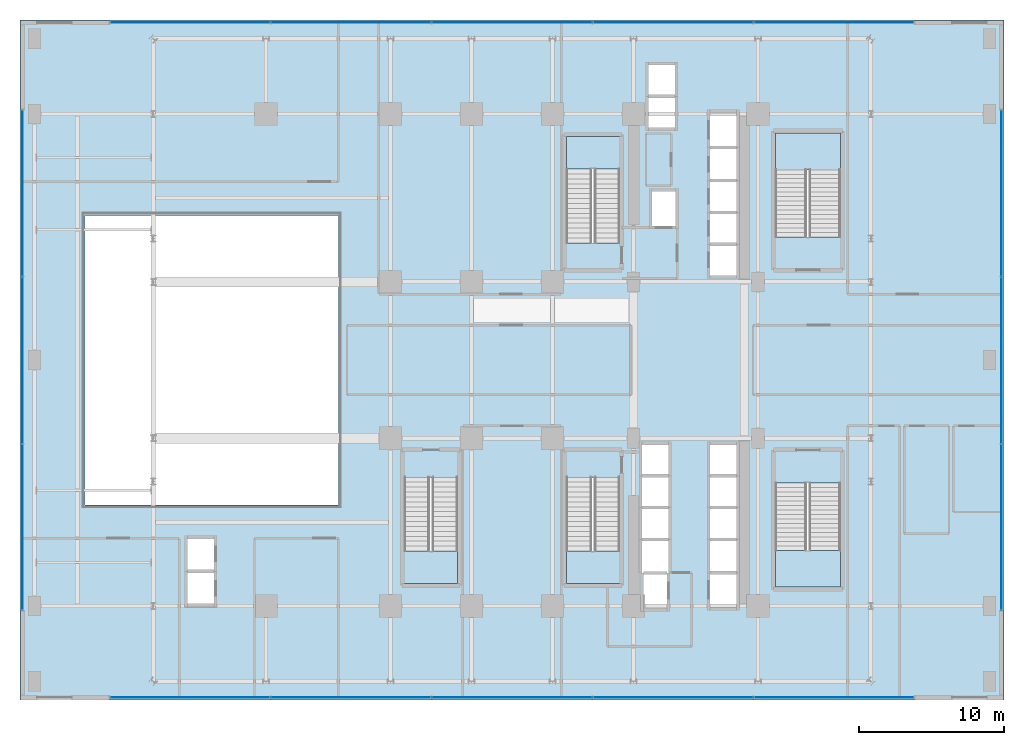
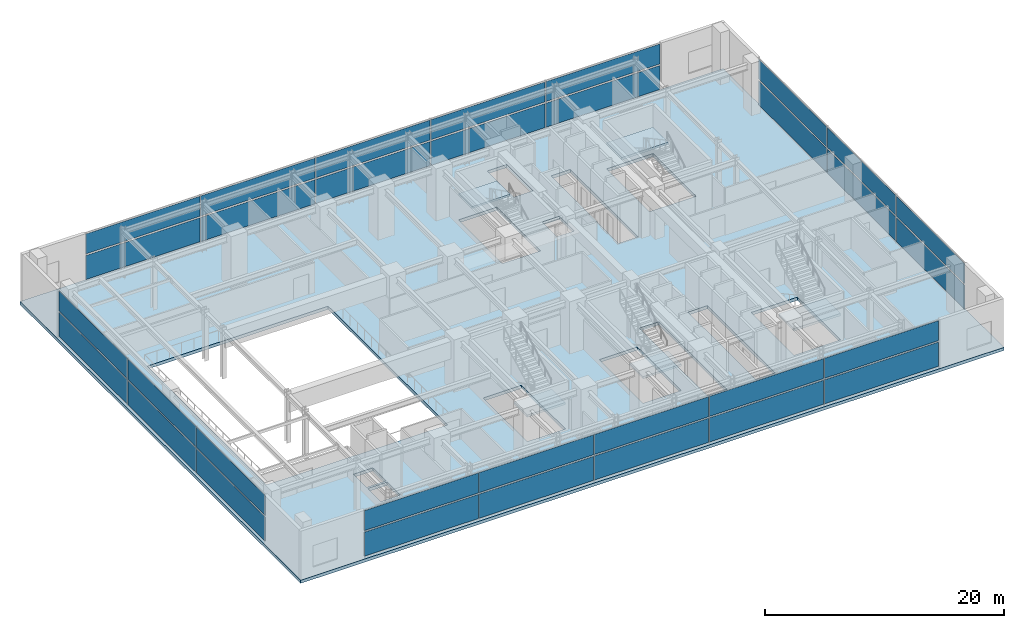
# One storey, part 26 of 35: 32 plates, 6 slabs, 9 elements without a shape of their own.
"""IFC4 building model written with IfcOpenShell, lengths in metres."""

from ifc_helpers import new_model, si_unit, direction, frame, origin, origin_2d, place, context, subcontext, project, spatial, polyline, rectangle, outline, extrude, source, transform, mapped, material, layer, layer_set, type_object, element, aggregate, save


model = new_model("IFC4")

# Units and contexts
model_context = context("Model", 3, precision=1e-05, world=origin(), true_north=direction((0.0, 1.0)))
body_context = subcontext(model_context, "Body", "Model", "MODEL_VIEW")
ifc_project = project(units=[si_unit("LENGTHUNIT", "METRE"), si_unit("AREAUNIT", "SQUARE_METRE"), si_unit("VOLUMEUNIT", "CUBIC_METRE"), si_unit("PLANEANGLEUNIT", "RADIAN"), si_unit("MASSUNIT", "GRAM", prefix="KILO")], contexts=[model_context])

# Site, building, storey
site_placement = place(None, origin())
site = spatial("IfcSite", under=ifc_project, at=site_placement, CompositionType="ELEMENT")
building_placement = place(site_placement, origin())
building = spatial("IfcBuilding", under=site, at=building_placement, Name="Nahalor Promenade Grand Hotel", CompositionType="ELEMENT")
storey_placement = place(building_placement, frame((0.0, 0.0, 21.60009765625)))
storey = spatial("IfcBuildingStorey", under=building, at=storey_placement, Name="L04", CompositionType="ELEMENT", Elevation=21.60009765625)

# Stair, slab
ifc_material_1 = material(Name="Concrete B-50 (C40/50)", Category="concrete")
stair_type_1 = type_object("IfcStairType", Name="Stair-ST1", PredefinedType="HALF_TURN_STAIR", material=ifc_material_1)
stair_1_placement = place(storey_placement, origin())
stair_1 = element("IfcStair", 1, at=stair_1_placement, inside=storey, type_object=stair_type_1, Name="L04 ST1", PredefinedType="HALF_TURN_STAIR")
ifc_layer_1 = layer(ifc_material_1, 0.199951171875)
ifc_layer_set_1 = layer_set([ifc_layer_1], Name="Concrete B-50 (C40/50)")
slab_type_1 = type_object("IfcSlabType", Name="Landing-ST1", PredefinedType="LANDING", material=ifc_layer_set_1)
slab_1_placement = place(storey_placement, frame((0.0, 0.0, 2.5)))
slab_1 = element("IfcSlab", 2, at=slab_1_placement, type_object=slab_type_1, Name="ST1 landing 1", PredefinedType="LANDING", context=body_context, shape_type="SweptSolid", body=[
    extrude(outline(polyline([(7.449951171875, 13.199951171875), (7.449951171875, 15.449951171875), (3.75, 15.449951171875), (3.75, 13.199951171875), (7.449951171875, 13.199951171875)])), origin(), (0.0, 0.0, 1.0), 0.199951171875),
])
aggregate(stair_1, [slab_1])

stair_type_2 = type_object("IfcStairType", Name="Stair-ST2", PredefinedType="HALF_TURN_STAIR", material=ifc_material_1)
stair_2_placement = place(storey_placement, origin())
stair_2 = element("IfcStair", 3, at=stair_2_placement, inside=storey, type_object=stair_type_2, Name="L04 ST2", PredefinedType="HALF_TURN_STAIR")
ifc_layer_2 = layer(ifc_material_1, 0.2099609375)
ifc_layer_set_2 = layer_set([ifc_layer_2], Name="Concrete B-50 (C40/50)")
slab_type_2 = type_object("IfcSlabType", Name="Landing-ST2", PredefinedType="LANDING", material=ifc_layer_set_2)
slab_2_placement = place(storey_placement, frame((0.0, 0.0, 2.489990234375)))
slab_2 = element("IfcSlab", 4, at=slab_2_placement, type_object=slab_type_2, Name="ST2 landing 1", PredefinedType="LANDING", context=body_context, shape_type="SweptSolid", body=[
    extrude(outline(polyline([(3.75, -13.199951171875), (3.75, -15.449951171875), (7.449951171875, -15.449951171875), (7.449951171875, -13.199951171875), (3.75, -13.199951171875)])), origin(), (0.0, 0.0, 1.0), 0.2099609375),
])
aggregate(stair_2, [slab_2])

stair_type_3 = type_object("IfcStairType", Name="Stair-ST3", PredefinedType="HALF_TURN_STAIR", material=ifc_material_1)
stair_3_placement = place(storey_placement, origin())
stair_3 = element("IfcStair", 5, at=stair_3_placement, inside=storey, type_object=stair_type_3, Name="L04 ST3", PredefinedType="HALF_TURN_STAIR")
ifc_layer_3 = layer(ifc_material_1, 0.219970703125)
ifc_layer_set_3 = layer_set([ifc_layer_3], Name="Concrete B-50 (C40/50)")
slab_type_3 = type_object("IfcSlabType", Name="Landing-ST3", PredefinedType="LANDING", material=ifc_layer_set_3)
slab_3_placement = place(storey_placement, frame((0.0, 0.0, 2.47998046875)))
slab_3 = element("IfcSlab", 6, at=slab_3_placement, type_object=slab_type_3, Name="ST3 landing 1", PredefinedType="LANDING", context=body_context, shape_type="SweptSolid", body=[
    extrude(outline(polyline([(-7.449951171875, -13.199951171875), (-7.449951171875, -15.449951171875), (-3.75, -15.449951171875), (-3.75, -13.199951171875), (-7.449951171875, -13.199951171875)])), origin(), (0.0, 0.0, 1.0), 0.219970703125),
])
aggregate(stair_3, [slab_3])

stair_type_4 = type_object("IfcStairType", Name="Stair-ST4", PredefinedType="HALF_TURN_STAIR", material=ifc_material_1)
stair_4_placement = place(storey_placement, origin())
stair_4 = element("IfcStair", 7, at=stair_4_placement, inside=storey, type_object=stair_type_4, Name="L04 ST4", PredefinedType="HALF_TURN_STAIR")
ifc_layer_4 = layer(ifc_material_1, 0.239990234375)
ifc_layer_set_4 = layer_set([ifc_layer_4], Name="Concrete B-50 (C40/50)")
slab_type_4 = type_object("IfcSlabType", Name="Landing-ST4", PredefinedType="LANDING", material=ifc_layer_set_4)
slab_4_placement = place(storey_placement, frame((0.0, 0.0, 2.4599609375)))
slab_4 = element("IfcSlab", 8, at=slab_4_placement, type_object=slab_type_4, Name="ST4 landing 1", PredefinedType="LANDING", context=body_context, shape_type="SweptSolid", body=[
    extrude(outline(polyline([(22.699951171875, 13.14990234375), (22.699951171875, 15.699951171875), (18.199951171875, 15.699951171875), (18.199951171875, 13.14990234375), (22.699951171875, 13.14990234375)])), origin(), (0.0, 0.0, 1.0), 0.239990234375),
])
aggregate(stair_4, [slab_4])

stair_type_5 = type_object("IfcStairType", Name="Stair-ST5", PredefinedType="HALF_TURN_STAIR", material=ifc_material_1)
stair_5_placement = place(storey_placement, origin())
stair_5 = element("IfcStair", 9, at=stair_5_placement, inside=storey, type_object=stair_type_5, Name="L04 ST5", PredefinedType="HALF_TURN_STAIR")
ifc_layer_5 = layer(ifc_material_1, 0.25)
ifc_layer_set_5 = layer_set([ifc_layer_5], Name="Concrete B-50 (C40/50)")
slab_type_5 = type_object("IfcSlabType", Name="Landing-ST5", PredefinedType="LANDING", material=ifc_layer_set_5)
slab_5_placement = place(storey_placement, frame((0.0, 0.0, 2.449951171875)))
slab_5 = element("IfcSlab", 10, at=slab_5_placement, type_object=slab_type_5, Name="ST5 landing 1", PredefinedType="LANDING", context=body_context, shape_type="SweptSolid", body=[
    extrude(outline(polyline([(18.199951171875, -13.14990234375), (18.199951171875, -15.699951171875), (22.699951171875, -15.699951171875), (22.699951171875, -13.14990234375), (18.199951171875, -13.14990234375)])), origin(), (0.0, 0.0, 1.0), 0.25),
])
aggregate(stair_5, [slab_5])

# Slab
ifc_layer_6 = layer(ifc_material_1, 0.320068359375)
ifc_layer_set_6 = layer_set([ifc_layer_6], Name="Concrete B-50 (C40/50)")
slab_type_6 = type_object("IfcSlabType", Name="Slab-Podium-320", PredefinedType="FLOOR", material=ifc_layer_set_6)
slab_6_placement = place(storey_placement, frame((0.0, 0.0, -0.320068359375)))
element("IfcSlab", 11, at=slab_6_placement, inside=storey, type_object=slab_type_6, Name="L04 Suspended Structural Floor Slab", PredefinedType="FLOOR", context=body_context, shape_type="SweptSolid", body=[
    extrude(outline(polyline([(-34.0, -23.5), (34.0, -23.5), (34.0, 23.5), (-34.0, 23.5), (-34.0, -23.5)]), holes=[polyline([(3.75, 8.10009765625), (7.449951171875, 8.10009765625), (7.449951171875, 15.449951171875), (3.75, 15.449951171875), (3.75, 8.10009765625)]), polyline([(3.75, -15.449951171875), (7.449951171875, -15.449951171875), (7.449951171875, -8.10009765625), (3.75, -8.10009765625), (3.75, -15.449951171875)]), polyline([(-7.449951171875, -15.449951171875), (-3.75, -15.449951171875), (-3.75, -8.10009765625), (-7.449951171875, -8.10009765625), (-7.449951171875, -15.449951171875)]), polyline([(18.199951171875, 8.5), (22.699951171875, 8.5), (22.699951171875, 15.699951171875), (18.199951171875, 15.699951171875), (18.199951171875, 8.5)]), polyline([(18.199951171875, -15.699951171875), (22.699951171875, -15.699951171875), (22.699951171875, -8.5), (18.199951171875, -8.5), (18.199951171875, -15.699951171875)]), polyline([(13.659912109375, 5.81005859375), (15.5400390625, 5.81005859375), (15.5400390625, 17.139892578125), (13.659912109375, 17.139892578125), (13.659912109375, 5.81005859375)]), polyline([(13.659912109375, -17.139892578125), (15.5400390625, -17.139892578125), (15.5400390625, -5.81005859375), (13.659912109375, -5.81005859375), (13.659912109375, -17.139892578125)]), polyline([(8.9599609375, -17.18994140625), (10.840087890625, -17.18994140625), (10.840087890625, -5.81005859375), (8.9599609375, -5.81005859375), (8.9599609375, -17.18994140625)]), polyline([(9.409912109375, 16.010009765625), (11.2900390625, 16.010009765625), (11.2900390625, 20.43994140625), (9.409912109375, 20.43994140625), (9.409912109375, 16.010009765625)]), polyline([(9.659912109375, 9.2099609375), (11.340087890625, 9.2099609375), (11.340087890625, 11.68994140625), (9.659912109375, 11.68994140625), (9.659912109375, 9.2099609375)]), polyline([(-22.43994140625, -16.889892578125), (-20.56005859375, -16.889892578125), (-20.56005859375, -14.7099609375), (-22.43994140625, -14.7099609375), (-22.43994140625, -16.889892578125)]), polyline([(-22.43994140625, -14.489990234375), (-20.56005859375, -14.489990234375), (-20.56005859375, -12.31005859375), (-22.43994140625, -12.31005859375), (-22.43994140625, -14.489990234375)]), polyline([(-29.5, -10.0), (-12.0, -10.0), (-12.0, 10.0), (-29.5, 10.0), (-29.5, -10.0)])]), origin(), (0.0, 0.0, 1.0), 0.320068359375),
])

# Curtain wall, plates
ifc_material_2 = material(Name="Anodised Bronze Aluminium EN AW-6063 T6", Category="aluminium")
curtain_wall_type = type_object("IfcCurtainWallType", Name="CW1 Waterfront Podium Bronze Arcade Curtain Wall", PredefinedType="USERDEFINED", material=ifc_material_2)
curtain_wall_1_placement = place(storey_placement, origin())
curtain_wall_1 = element("IfcCurtainWall", 12, at=curtain_wall_1_placement, inside=storey, type_object=curtain_wall_type, Name="L04 Curtain Wall CW-L04-S", ObjectType="UNITISED_CURTAIN_WALL", PredefinedType="USERDEFINED")
ifc_material_3 = material(Name="Low-E Laminated Solar Glass", Category="glass")
ifc_layer_7 = layer(ifc_material_3, 0.031982421875)
ifc_layer_set_7 = layer_set([ifc_layer_7], Name="Low-E Laminated Solar Glass")
plate_type = type_object("IfcPlateType", Name="CWP1 Podium Solar Acoustic IGU 32mm", PredefinedType="CURTAIN_PANEL", material=ifc_layer_set_7)
shared_shape_1 = source(origin(), body_context, "Body", "SweptSolid", [
    extrude(rectangle(XDim=11.008056640625, YDim=0.031982421875, at=origin_2d()), origin(), (0.0, 0.0, 1.0), 2.4599609375),
])
plate_1_placement = place(storey_placement, frame((-22.236083984375, -23.320068359375, 0.159912109375), z_axis=(0.0, 0.0, 1.0), x_axis=(1.0, 0.0, 0.0)))
plate_1 = element("IfcPlate", 13, at=plate_1_placement, type_object=plate_type, Name="CW-L04-S Glazing Panel 0-0", PredefinedType="CURTAIN_PANEL", context=body_context, shape_type="MappedRepresentation", body=[
    mapped(shared_shape_1, transform((0.0, 0.0, 0.0), scale=1.0)),
])
plate_2_placement = place(storey_placement, frame((22.236083984375, -23.320068359375, 0.159912109375), z_axis=(0.0, 0.0, 1.0), x_axis=(1.0, 0.0, 0.0)))
plate_2 = element("IfcPlate", 14, at=plate_2_placement, type_object=plate_type, Name="CW-L04-S Glazing Panel 4-0", PredefinedType="CURTAIN_PANEL", context=body_context, shape_type="MappedRepresentation", body=[
    mapped(shared_shape_1, transform((0.0, 0.0, 0.0), scale=1.0)),
])

curtain_wall_2_placement = place(storey_placement, origin())
curtain_wall_2 = element("IfcCurtainWall", 15, at=curtain_wall_2_placement, inside=storey, type_object=curtain_wall_type, Name="L04 Curtain Wall CW-L04-N", ObjectType="UNITISED_CURTAIN_WALL", PredefinedType="USERDEFINED")
plate_3_placement = place(storey_placement, frame((-22.236083984375, 23.320068359375, 0.159912109375), z_axis=(0.0, 0.0, 1.0), x_axis=(1.0, 0.0, 0.0)))
plate_3 = element("IfcPlate", 16, at=plate_3_placement, type_object=plate_type, Name="CW-L04-N Glazing Panel 0-0", PredefinedType="CURTAIN_PANEL", context=body_context, shape_type="MappedRepresentation", body=[
    mapped(shared_shape_1, transform((0.0, 0.0, 0.0), scale=1.0)),
])
plate_4_placement = place(storey_placement, frame((22.236083984375, 23.320068359375, 0.159912109375), z_axis=(0.0, 0.0, 1.0), x_axis=(1.0, 0.0, 0.0)))
plate_4 = element("IfcPlate", 17, at=plate_4_placement, type_object=plate_type, Name="CW-L04-N Glazing Panel 4-0", PredefinedType="CURTAIN_PANEL", context=body_context, shape_type="MappedRepresentation", body=[
    mapped(shared_shape_1, transform((0.0, 0.0, 0.0), scale=1.0)),
])

# Plate
shared_shape_2 = source(origin(), body_context, "Body", "SweptSolid", [
    extrude(rectangle(XDim=11.008056640625, YDim=0.031982421875, at=origin_2d()), origin(), (0.0, 0.0, 1.0), 2.0400390625),
])
plate_5_placement = place(storey_placement, frame((-22.236083984375, -23.320068359375, 2.77978515625), z_axis=(0.0, 0.0, 1.0), x_axis=(1.0, 0.0, 0.0)))
plate_5 = element("IfcPlate", 18, at=plate_5_placement, type_object=plate_type, Name="CW-L04-S Glazing Panel 0-1", PredefinedType="CURTAIN_PANEL", context=body_context, shape_type="MappedRepresentation", body=[
    mapped(shared_shape_2, transform((0.0, 0.0, 0.0), scale=1.0)),
])

plate_6_placement = place(storey_placement, frame((22.236083984375, -23.320068359375, 2.77978515625), z_axis=(0.0, 0.0, 1.0), x_axis=(1.0, 0.0, 0.0)))
plate_6 = element("IfcPlate", 19, at=plate_6_placement, type_object=plate_type, Name="CW-L04-S Glazing Panel 4-1", PredefinedType="CURTAIN_PANEL", context=body_context, shape_type="MappedRepresentation", body=[
    mapped(shared_shape_2, transform((0.0, 0.0, 0.0), scale=1.0)),
])

plate_7_placement = place(storey_placement, frame((-22.236083984375, 23.320068359375, 2.77978515625), z_axis=(0.0, 0.0, 1.0), x_axis=(1.0, 0.0, 0.0)))
plate_7 = element("IfcPlate", 20, at=plate_7_placement, type_object=plate_type, Name="CW-L04-N Glazing Panel 0-1", PredefinedType="CURTAIN_PANEL", context=body_context, shape_type="MappedRepresentation", body=[
    mapped(shared_shape_2, transform((0.0, 0.0, 0.0), scale=1.0)),
])

plate_8_placement = place(storey_placement, frame((22.236083984375, 23.320068359375, 2.77978515625), z_axis=(0.0, 0.0, 1.0), x_axis=(1.0, 0.0, 0.0)))
plate_8 = element("IfcPlate", 21, at=plate_8_placement, type_object=plate_type, Name="CW-L04-N Glazing Panel 4-1", PredefinedType="CURTAIN_PANEL", context=body_context, shape_type="MappedRepresentation", body=[
    mapped(shared_shape_2, transform((0.0, 0.0, 0.0), scale=1.0)),
])

shared_shape_3 = source(origin(), body_context, "Body", "SweptSolid", [
    extrude(rectangle(XDim=11.048095703125, YDim=0.031982421875, at=origin_2d()), origin(), (0.0, 0.0, 1.0), 2.4599609375),
])
plate_9_placement = place(storey_placement, frame((-11.1279296875, -23.320068359375, 0.159912109375), z_axis=(0.0, 0.0, 1.0), x_axis=(1.0, 0.0, 0.0)))
plate_9 = element("IfcPlate", 22, at=plate_9_placement, type_object=plate_type, Name="CW-L04-S Glazing Panel 1-0", PredefinedType="CURTAIN_PANEL", context=body_context, shape_type="MappedRepresentation", body=[
    mapped(shared_shape_3, transform((0.0, 0.0, 0.0), scale=1.0)),
])

plate_10_placement = place(storey_placement, frame((0.0, -23.320068359375, 0.159912109375), z_axis=(0.0, 0.0, 1.0), x_axis=(1.0, 0.0, 0.0)))
plate_10 = element("IfcPlate", 23, at=plate_10_placement, type_object=plate_type, Name="CW-L04-S Glazing Panel 2-0", PredefinedType="CURTAIN_PANEL", context=body_context, shape_type="MappedRepresentation", body=[
    mapped(shared_shape_3, transform((0.0, 0.0, 0.0), scale=1.0)),
])

plate_11_placement = place(storey_placement, frame((11.1279296875, -23.320068359375, 0.159912109375), z_axis=(0.0, 0.0, 1.0), x_axis=(1.0, 0.0, 0.0)))
plate_11 = element("IfcPlate", 24, at=plate_11_placement, type_object=plate_type, Name="CW-L04-S Glazing Panel 3-0", PredefinedType="CURTAIN_PANEL", context=body_context, shape_type="MappedRepresentation", body=[
    mapped(shared_shape_3, transform((0.0, 0.0, 0.0), scale=1.0)),
])

plate_12_placement = place(storey_placement, frame((-11.1279296875, 23.320068359375, 0.159912109375), z_axis=(0.0, 0.0, 1.0), x_axis=(1.0, 0.0, 0.0)))
plate_12 = element("IfcPlate", 25, at=plate_12_placement, type_object=plate_type, Name="CW-L04-N Glazing Panel 1-0", PredefinedType="CURTAIN_PANEL", context=body_context, shape_type="MappedRepresentation", body=[
    mapped(shared_shape_3, transform((0.0, 0.0, 0.0), scale=1.0)),
])

plate_13_placement = place(storey_placement, frame((0.0, 23.320068359375, 0.159912109375), z_axis=(0.0, 0.0, 1.0), x_axis=(1.0, 0.0, 0.0)))
plate_13 = element("IfcPlate", 26, at=plate_13_placement, type_object=plate_type, Name="CW-L04-N Glazing Panel 2-0", PredefinedType="CURTAIN_PANEL", context=body_context, shape_type="MappedRepresentation", body=[
    mapped(shared_shape_3, transform((0.0, 0.0, 0.0), scale=1.0)),
])

plate_14_placement = place(storey_placement, frame((11.1279296875, 23.320068359375, 0.159912109375), z_axis=(0.0, 0.0, 1.0), x_axis=(1.0, 0.0, 0.0)))
plate_14 = element("IfcPlate", 27, at=plate_14_placement, type_object=plate_type, Name="CW-L04-N Glazing Panel 3-0", PredefinedType="CURTAIN_PANEL", context=body_context, shape_type="MappedRepresentation", body=[
    mapped(shared_shape_3, transform((0.0, 0.0, 0.0), scale=1.0)),
])

shared_shape_4 = source(origin(), body_context, "Body", "SweptSolid", [
    extrude(rectangle(XDim=11.048095703125, YDim=0.031982421875, at=origin_2d()), origin(), (0.0, 0.0, 1.0), 2.0400390625),
])
plate_15_placement = place(storey_placement, frame((-11.1279296875, -23.320068359375, 2.77978515625), z_axis=(0.0, 0.0, 1.0), x_axis=(1.0, 0.0, 0.0)))
plate_15 = element("IfcPlate", 28, at=plate_15_placement, type_object=plate_type, Name="CW-L04-S Glazing Panel 1-1", PredefinedType="CURTAIN_PANEL", context=body_context, shape_type="MappedRepresentation", body=[
    mapped(shared_shape_4, transform((0.0, 0.0, 0.0), scale=1.0)),
])

plate_16_placement = place(storey_placement, frame((0.0, -23.320068359375, 2.77978515625), z_axis=(0.0, 0.0, 1.0), x_axis=(1.0, 0.0, 0.0)))
plate_16 = element("IfcPlate", 29, at=plate_16_placement, type_object=plate_type, Name="CW-L04-S Glazing Panel 2-1", PredefinedType="CURTAIN_PANEL", context=body_context, shape_type="MappedRepresentation", body=[
    mapped(shared_shape_4, transform((0.0, 0.0, 0.0), scale=1.0)),
])

plate_17_placement = place(storey_placement, frame((11.1279296875, -23.320068359375, 2.77978515625), z_axis=(0.0, 0.0, 1.0), x_axis=(1.0, 0.0, 0.0)))
plate_17 = element("IfcPlate", 30, at=plate_17_placement, type_object=plate_type, Name="CW-L04-S Glazing Panel 3-1", PredefinedType="CURTAIN_PANEL", context=body_context, shape_type="MappedRepresentation", body=[
    mapped(shared_shape_4, transform((0.0, 0.0, 0.0), scale=1.0)),
])

aggregate(curtain_wall_1, [plate_1, plate_5, plate_9, plate_15, plate_10, plate_16, plate_11, plate_17, plate_2, plate_6])

plate_18_placement = place(storey_placement, frame((-11.1279296875, 23.320068359375, 2.77978515625), z_axis=(0.0, 0.0, 1.0), x_axis=(1.0, 0.0, 0.0)))
plate_18 = element("IfcPlate", 31, at=plate_18_placement, type_object=plate_type, Name="CW-L04-N Glazing Panel 1-1", PredefinedType="CURTAIN_PANEL", context=body_context, shape_type="MappedRepresentation", body=[
    mapped(shared_shape_4, transform((0.0, 0.0, 0.0), scale=1.0)),
])

plate_19_placement = place(storey_placement, frame((0.0, 23.320068359375, 2.77978515625), z_axis=(0.0, 0.0, 1.0), x_axis=(1.0, 0.0, 0.0)))
plate_19 = element("IfcPlate", 32, at=plate_19_placement, type_object=plate_type, Name="CW-L04-N Glazing Panel 2-1", PredefinedType="CURTAIN_PANEL", context=body_context, shape_type="MappedRepresentation", body=[
    mapped(shared_shape_4, transform((0.0, 0.0, 0.0), scale=1.0)),
])

plate_20_placement = place(storey_placement, frame((11.1279296875, 23.320068359375, 2.77978515625), z_axis=(0.0, 0.0, 1.0), x_axis=(1.0, 0.0, 0.0)))
plate_20 = element("IfcPlate", 33, at=plate_20_placement, type_object=plate_type, Name="CW-L04-N Glazing Panel 3-1", PredefinedType="CURTAIN_PANEL", context=body_context, shape_type="MappedRepresentation", body=[
    mapped(shared_shape_4, transform((0.0, 0.0, 0.0), scale=1.0)),
])

aggregate(curtain_wall_2, [plate_3, plate_7, plate_12, plate_18, plate_13, plate_19, plate_14, plate_20, plate_4, plate_8])

# Curtain wall, plates
curtain_wall_3_placement = place(storey_placement, origin())
curtain_wall_3 = element("IfcCurtainWall", 34, at=curtain_wall_3_placement, inside=storey, type_object=curtain_wall_type, Name="L04 Curtain Wall CW-L04-W", ObjectType="UNITISED_CURTAIN_WALL", PredefinedType="USERDEFINED")
shared_shape_5 = source(origin(), body_context, "Body", "SweptSolid", [
    extrude(rectangle(XDim=11.4267578125, YDim=0.031982421875, at=origin_2d()), origin(), (0.0, 0.0, 1.0), 2.4599609375),
])
plate_21_placement = place(storey_placement, frame((-33.820068359375, -11.526611328125, 0.159912109375), z_axis=(0.0, 0.0, 1.0), x_axis=(0.0, 1.0, 0.0)))
plate_21 = element("IfcPlate", 35, at=plate_21_placement, type_object=plate_type, Name="CW-L04-W Glazing Panel 0-0", PredefinedType="CURTAIN_PANEL", context=body_context, shape_type="MappedRepresentation", body=[
    mapped(shared_shape_5, transform((0.0, 0.0, 0.0), scale=1.0)),
])
plate_22_placement = place(storey_placement, frame((-33.820068359375, 11.526611328125, 0.159912109375), z_axis=(0.0, 0.0, 1.0), x_axis=(0.0, 1.0, 0.0)))
plate_22 = element("IfcPlate", 36, at=plate_22_placement, type_object=plate_type, Name="CW-L04-W Glazing Panel 2-0", PredefinedType="CURTAIN_PANEL", context=body_context, shape_type="MappedRepresentation", body=[
    mapped(shared_shape_5, transform((0.0, 0.0, 0.0), scale=1.0)),
])

curtain_wall_4_placement = place(storey_placement, origin())
curtain_wall_4 = element("IfcCurtainWall", 37, at=curtain_wall_4_placement, inside=storey, type_object=curtain_wall_type, Name="L04 Curtain Wall CW-L04-E", ObjectType="UNITISED_CURTAIN_WALL", PredefinedType="USERDEFINED")
plate_23_placement = place(storey_placement, frame((33.820068359375, -11.526611328125, 0.159912109375), z_axis=(0.0, 0.0, 1.0), x_axis=(0.0, 1.0, 0.0)))
plate_23 = element("IfcPlate", 38, at=plate_23_placement, type_object=plate_type, Name="CW-L04-E Glazing Panel 0-0", PredefinedType="CURTAIN_PANEL", context=body_context, shape_type="MappedRepresentation", body=[
    mapped(shared_shape_5, transform((0.0, 0.0, 0.0), scale=1.0)),
])
plate_24_placement = place(storey_placement, frame((33.820068359375, 11.526611328125, 0.159912109375), z_axis=(0.0, 0.0, 1.0), x_axis=(0.0, 1.0, 0.0)))
plate_24 = element("IfcPlate", 39, at=plate_24_placement, type_object=plate_type, Name="CW-L04-E Glazing Panel 2-0", PredefinedType="CURTAIN_PANEL", context=body_context, shape_type="MappedRepresentation", body=[
    mapped(shared_shape_5, transform((0.0, 0.0, 0.0), scale=1.0)),
])

# Plate
shared_shape_6 = source(origin(), body_context, "Body", "SweptSolid", [
    extrude(rectangle(XDim=11.4267578125, YDim=0.031982421875, at=origin_2d()), origin(), (0.0, 0.0, 1.0), 2.0400390625),
])
plate_25_placement = place(storey_placement, frame((-33.820068359375, -11.526611328125, 2.77978515625), z_axis=(0.0, 0.0, 1.0), x_axis=(0.0, 1.0, 0.0)))
plate_25 = element("IfcPlate", 40, at=plate_25_placement, type_object=plate_type, Name="CW-L04-W Glazing Panel 0-1", PredefinedType="CURTAIN_PANEL", context=body_context, shape_type="MappedRepresentation", body=[
    mapped(shared_shape_6, transform((0.0, 0.0, 0.0), scale=1.0)),
])

plate_26_placement = place(storey_placement, frame((-33.820068359375, 11.526611328125, 2.77978515625), z_axis=(0.0, 0.0, 1.0), x_axis=(0.0, 1.0, 0.0)))
plate_26 = element("IfcPlate", 41, at=plate_26_placement, type_object=plate_type, Name="CW-L04-W Glazing Panel 2-1", PredefinedType="CURTAIN_PANEL", context=body_context, shape_type="MappedRepresentation", body=[
    mapped(shared_shape_6, transform((0.0, 0.0, 0.0), scale=1.0)),
])

plate_27_placement = place(storey_placement, frame((33.820068359375, -11.526611328125, 2.77978515625), z_axis=(0.0, 0.0, 1.0), x_axis=(0.0, 1.0, 0.0)))
plate_27 = element("IfcPlate", 42, at=plate_27_placement, type_object=plate_type, Name="CW-L04-E Glazing Panel 0-1", PredefinedType="CURTAIN_PANEL", context=body_context, shape_type="MappedRepresentation", body=[
    mapped(shared_shape_6, transform((0.0, 0.0, 0.0), scale=1.0)),
])

plate_28_placement = place(storey_placement, frame((33.820068359375, 11.526611328125, 2.77978515625), z_axis=(0.0, 0.0, 1.0), x_axis=(0.0, 1.0, 0.0)))
plate_28 = element("IfcPlate", 43, at=plate_28_placement, type_object=plate_type, Name="CW-L04-E Glazing Panel 2-1", PredefinedType="CURTAIN_PANEL", context=body_context, shape_type="MappedRepresentation", body=[
    mapped(shared_shape_6, transform((0.0, 0.0, 0.0), scale=1.0)),
])

shared_shape_7 = source(origin(), body_context, "Body", "SweptSolid", [
    extrude(rectangle(XDim=11.466552734375, YDim=0.031982421875, at=origin_2d()), origin(), (0.0, 0.0, 1.0), 2.4599609375),
])
plate_29_placement = place(storey_placement, frame((-33.820068359375, 0.0, 0.159912109375), z_axis=(0.0, 0.0, 1.0), x_axis=(0.0, 1.0, 0.0)))
plate_29 = element("IfcPlate", 44, at=plate_29_placement, type_object=plate_type, Name="CW-L04-W Glazing Panel 1-0", PredefinedType="CURTAIN_PANEL", context=body_context, shape_type="MappedRepresentation", body=[
    mapped(shared_shape_7, transform((0.0, 0.0, 0.0), scale=1.0)),
])

plate_30_placement = place(storey_placement, frame((33.820068359375, 0.0, 0.159912109375), z_axis=(0.0, 0.0, 1.0), x_axis=(0.0, 1.0, 0.0)))
plate_30 = element("IfcPlate", 45, at=plate_30_placement, type_object=plate_type, Name="CW-L04-E Glazing Panel 1-0", PredefinedType="CURTAIN_PANEL", context=body_context, shape_type="MappedRepresentation", body=[
    mapped(shared_shape_7, transform((0.0, 0.0, 0.0), scale=1.0)),
])

shared_shape_8 = source(origin(), body_context, "Body", "SweptSolid", [
    extrude(rectangle(XDim=11.466552734375, YDim=0.031982421875, at=origin_2d()), origin(), (0.0, 0.0, 1.0), 2.0400390625),
])
plate_31_placement = place(storey_placement, frame((-33.820068359375, 0.0, 2.77978515625), z_axis=(0.0, 0.0, 1.0), x_axis=(0.0, 1.0, 0.0)))
plate_31 = element("IfcPlate", 46, at=plate_31_placement, type_object=plate_type, Name="CW-L04-W Glazing Panel 1-1", PredefinedType="CURTAIN_PANEL", context=body_context, shape_type="MappedRepresentation", body=[
    mapped(shared_shape_8, transform((0.0, 0.0, 0.0), scale=1.0)),
])

aggregate(curtain_wall_3, [plate_21, plate_25, plate_29, plate_31, plate_22, plate_26])

plate_32_placement = place(storey_placement, frame((33.820068359375, 0.0, 2.77978515625), z_axis=(0.0, 0.0, 1.0), x_axis=(0.0, 1.0, 0.0)))
plate_32 = element("IfcPlate", 47, at=plate_32_placement, type_object=plate_type, Name="CW-L04-E Glazing Panel 1-1", PredefinedType="CURTAIN_PANEL", context=body_context, shape_type="MappedRepresentation", body=[
    mapped(shared_shape_8, transform((0.0, 0.0, 0.0), scale=1.0)),
])

aggregate(curtain_wall_4, [plate_23, plate_27, plate_30, plate_32, plate_24, plate_28])

save(model, "model.ifc")
